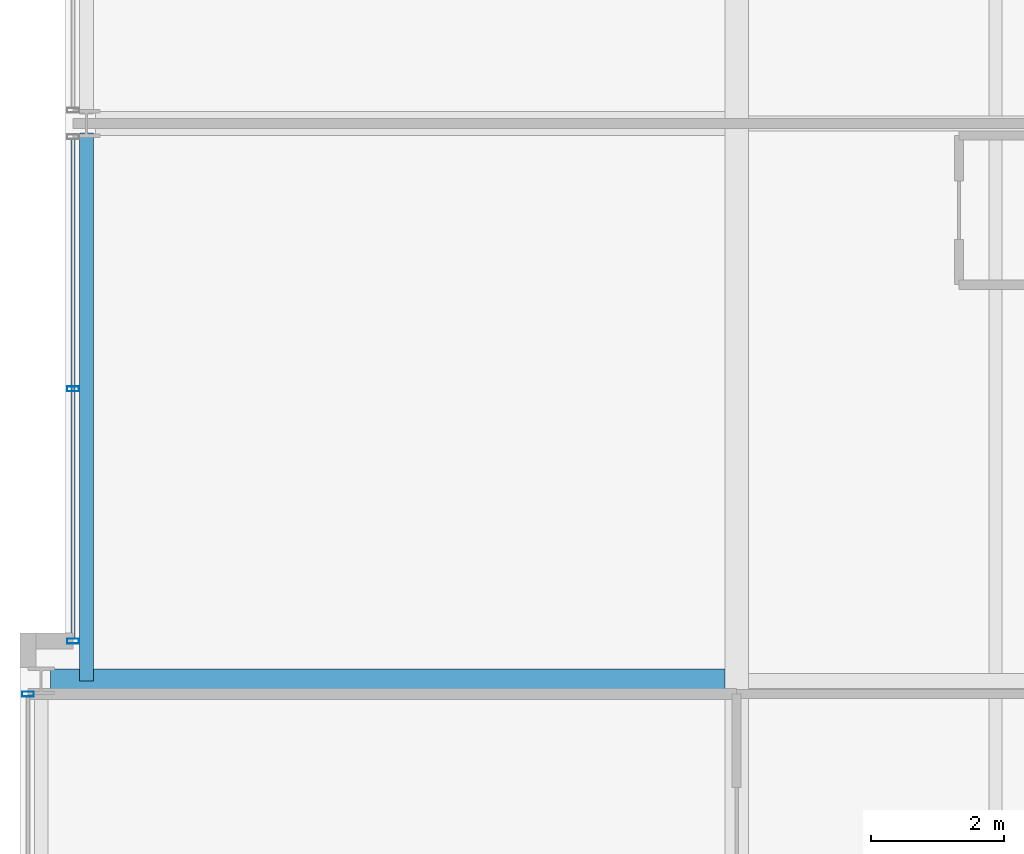
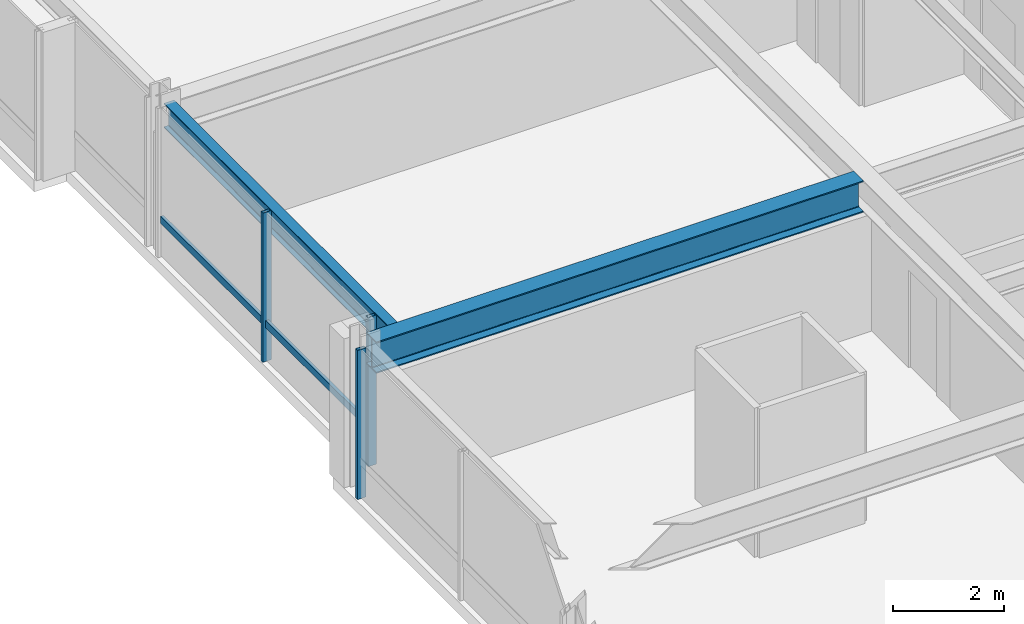
# One storey, part 7 of 33: 4 members, 2 beams, 2 elements without a shape of their own.
"""IFC4 building model written with IfcOpenShell, lengths in metres."""

from ifc_helpers import new_model, si_unit, direction, frame, origin, origin_2d, place, context, subcontext, project, spatial, hollow_rectangle, i_section, extrude, material, layer, layer_set, material_profile, profile_set, type_object, element, aggregate, save


model = new_model("IFC4")

# Units and contexts
model_context = context("Model", 3, precision=1e-05, world=origin(), true_north=direction((0.0, 1.0)))
body_context = subcontext(model_context, "Body", "Model", "MODEL_VIEW")
ifc_project = project(units=[si_unit("LENGTHUNIT", "METRE"), si_unit("AREAUNIT", "SQUARE_METRE"), si_unit("VOLUMEUNIT", "CUBIC_METRE"), si_unit("PLANEANGLEUNIT", "RADIAN"), si_unit("MASSUNIT", "GRAM", prefix="KILO")], contexts=[model_context])

# Site, building, storey
site_placement = place(None, origin())
site = spatial("IfcSite", under=ifc_project, at=site_placement, CompositionType="ELEMENT")
building_placement = place(site_placement, origin())
building = spatial("IfcBuilding", under=site, at=building_placement, Name="Drelvath Grand Hotel", CompositionType="ELEMENT")
storey_placement = place(building_placement, frame((0.0, 0.0, 171.699951171875)))
storey = spatial("IfcBuildingStorey", under=building, at=storey_placement, Name="L44", CompositionType="ELEMENT", Elevation=171.699951171875)

# Curtain wall, member
ifc_material_1 = material(Name="Brushed Pale-Silver Anodised Aluminium Frame", Category="aluminium")
ifc_layer = layer(ifc_material_1, 0.199951171875)
ifc_layer_set = layer_set([ifc_layer], Name="Brushed Pale-Silver Anodised Aluminium Frame")
curtain_wall_type = type_object("IfcCurtainWallType", Name="Stick Curtain Wall CW-04 Brushed Silver Upper-Mid", PredefinedType="NOTDEFINED", material=ifc_layer_set)
curtain_wall_1_placement = place(storey_placement, origin())
curtain_wall_1 = element("IfcCurtainWall", 1, at=curtain_wall_1_placement, inside=storey, type_object=curtain_wall_type, Name="L44 CW-04 Curtain Wall CW04-L44-WM1", PredefinedType="NOTDEFINED")
ifc_material_profile_1 = material_profile(ifc_material_1, hollow_rectangle(XDim=0.06494140625, YDim=0.159912109375, WallThickness=0.00390625, at=origin_2d()), Name="HSS160X65X4")
ifc_profile_set_1 = profile_set([ifc_material_profile_1], Name="Brushed Pale-Silver Anodised Aluminium Frame")
member_type_1 = type_object("IfcMemberType", Name="Curtain Wall Horizontal Transom CW-04 HSS160X65X4", PredefinedType="USERDEFINED", material=ifc_profile_set_1)
member_1_placement = place(storey_placement, frame((-26.199951171875, 19.239990234375, 0.822509765625), z_axis=(0.0, 1.0, 0.0), x_axis=(-1.0, 0.0, 0.0)))
member_1 = element("IfcMember", 2, at=member_1_placement, type_object=member_type_1, Name="CW04-L44-WM1 Sill Transom", ObjectType="TRANSOM", PredefinedType="USERDEFINED", context=body_context, shape_type="SweptSolid", body=[
    extrude(hollow_rectangle(XDim=0.06494140625, YDim=0.159912109375, WallThickness=0.00390625, at=origin_2d()), origin(), (0.0, 0.0, 1.0), 7.52001953125),
])

curtain_wall_2_placement = place(storey_placement, origin())
curtain_wall_2 = element("IfcCurtainWall", 3, at=curtain_wall_2_placement, inside=storey, type_object=curtain_wall_type, Name="L44 CW-04 Curtain Wall CW04-L44-WS2", PredefinedType="NOTDEFINED")
ifc_material_profile_2 = material_profile(ifc_material_1, hollow_rectangle(XDim=0.074951171875, YDim=0.179931640625, WallThickness=0.0048828125, at=origin_2d()), Name="HSS180X75X5")
ifc_profile_set_2 = profile_set([ifc_material_profile_2], Name="Brushed Pale-Silver Anodised Aluminium Frame")
member_type_2 = type_object("IfcMemberType", Name="Curtain Wall Vertical Mullion CW-04 HSS180X75X5", PredefinedType="MULLION", material=ifc_profile_set_2)
member_2_placement = place(storey_placement, frame((-26.8798828125, 18.39990234375, 0.0), z_axis=(0.0, 0.0, 1.0), x_axis=(0.0, 1.0, 0.0)))
member_2 = element("IfcMember", 4, at=member_2_placement, type_object=member_type_2, Name="CW04-L44-WS2 Mullion 3", PredefinedType="MULLION", context=body_context, shape_type="SweptSolid", body=[
    extrude(hollow_rectangle(XDim=0.074951171875, YDim=0.179931640625, WallThickness=0.0048828125, at=origin_2d()), origin(), (0.0, 0.0, 1.0), 3.2900390625),
])
aggregate(curtain_wall_2, [member_2])

# Member
member_3_placement = place(storey_placement, frame((-26.199951171875, 19.199951171875, 0.0), z_axis=(0.0, 0.0, 1.0), x_axis=(0.0, 1.0, 0.0)))
member_3 = element("IfcMember", 5, at=member_3_placement, type_object=member_type_2, Name="CW04-L44-WM1 Mullion 1", PredefinedType="MULLION", context=body_context, shape_type="SweptSolid", body=[
    extrude(hollow_rectangle(XDim=0.074951171875, YDim=0.179931640625, WallThickness=0.0048828125, at=origin_2d()), origin(), (0.0, 0.0, 1.0), 3.2900390625),
])

member_4_placement = place(storey_placement, frame((-26.199951171875, 23.0, 0.0), z_axis=(0.0, 0.0, 1.0), x_axis=(0.0, 1.0, 0.0)))
member_4 = element("IfcMember", 6, at=member_4_placement, type_object=member_type_2, Name="CW04-L44-WM1 Mullion 2", PredefinedType="MULLION", context=body_context, shape_type="SweptSolid", body=[
    extrude(hollow_rectangle(XDim=0.074951171875, YDim=0.179931640625, WallThickness=0.0048828125, at=origin_2d()), origin(), (0.0, 0.0, 1.0), 3.2900390625),
])

aggregate(curtain_wall_1, [member_3, member_4, member_1])

# Beams
ifc_material_2 = material(Name="Steel ASTM A992 Gr 50", Category="steel")
ifc_material_profile_3 = material_profile(ifc_material_2, i_section(OverallWidth=0.210205078125, OverallDepth=0.53662109375, WebThickness=0.010986328125, FlangeThickness=0.017333984375, FilletRadius=0.01806640625, at=origin_2d()), Name="W21X68")
ifc_profile_set_3 = profile_set([ifc_material_profile_3], Name="Steel ASTM A992 Gr 50")
beam_type_1 = type_object("IfcBeamType", Name="Perimeter Spandrel Beam W21X68", PredefinedType="SPANDREL", material=ifc_profile_set_3)
beam_1_placement = place(storey_placement, frame((-26.0, 18.60009765625, 3.021728515625), z_axis=(0.0, 1.0, 0.0), x_axis=(-1.0, 0.0, 0.0)))
element("IfcBeam", 7, at=beam_1_placement, inside=storey, type_object=beam_type_1, Name="L44 Spandrel West Mid S", PredefinedType="SPANDREL", context=body_context, shape_type="SweptSolid", body=[
    extrude(i_section(OverallWidth=0.210205078125, OverallDepth=0.53662109375, WebThickness=0.010986328125, FlangeThickness=0.017333984375, FilletRadius=0.01806640625, at=origin_2d()), origin(), (0.0, 0.0, 1.0), 8.260009765625),
])
ifc_material_profile_4 = material_profile(ifc_material_2, i_section(OverallWidth=0.354736328125, OverallDepth=0.695556640625, WebThickness=0.015380859375, FlangeThickness=0.025146484375, FilletRadius=0.02392578125, at=origin_2d()), Name="W27X146")
ifc_profile_set_4 = profile_set([ifc_material_profile_4], Name="Steel ASTM A992 Gr 50")
beam_type_2 = type_object("IfcBeamType", Name="Primary Floor Girder W27X146", PredefinedType="BEAM", material=ifc_profile_set_4)
beam_2_placement = place(storey_placement, frame((-26.5400390625, 18.60009765625, 2.9423828125), z_axis=(1.0, 0.0, 0.0), x_axis=(0.0, 1.0, 0.0)))
element("IfcBeam", 8, at=beam_2_placement, inside=storey, type_object=beam_type_2, Name="L44 West Wing Girder D", PredefinedType="BEAM", context=body_context, shape_type="SweptSolid", body=[
    extrude(i_section(OverallWidth=0.354736328125, OverallDepth=0.695556640625, WebThickness=0.015380859375, FlangeThickness=0.025146484375, FilletRadius=0.02392578125, at=origin_2d()), origin(), (0.0, 0.0, 1.0), 10.16259765625),
])

save(model, "model.ifc")
